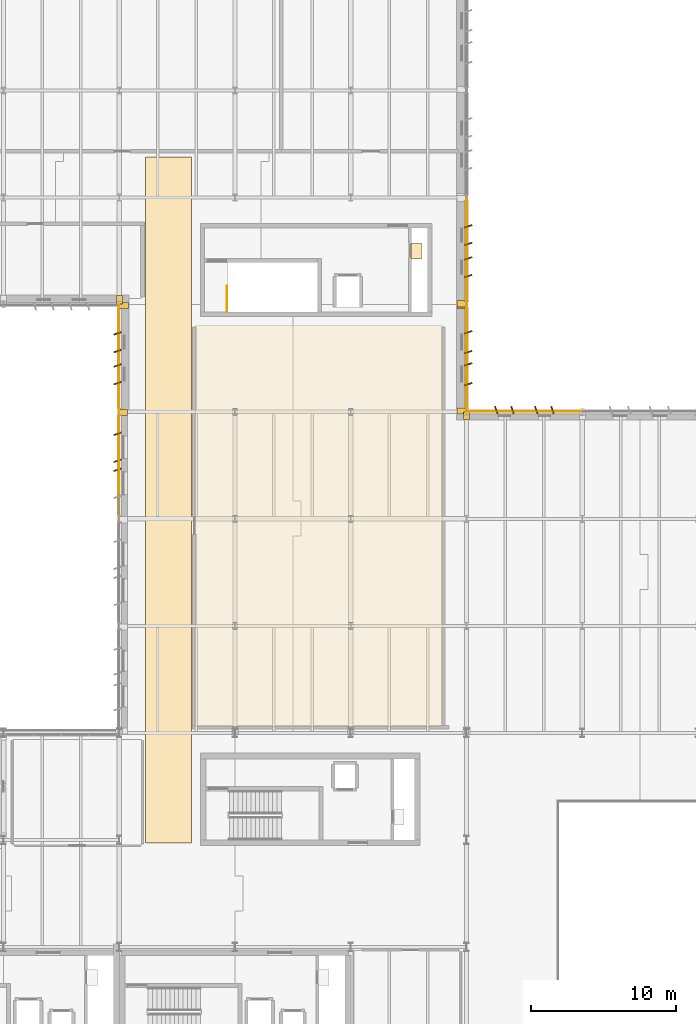
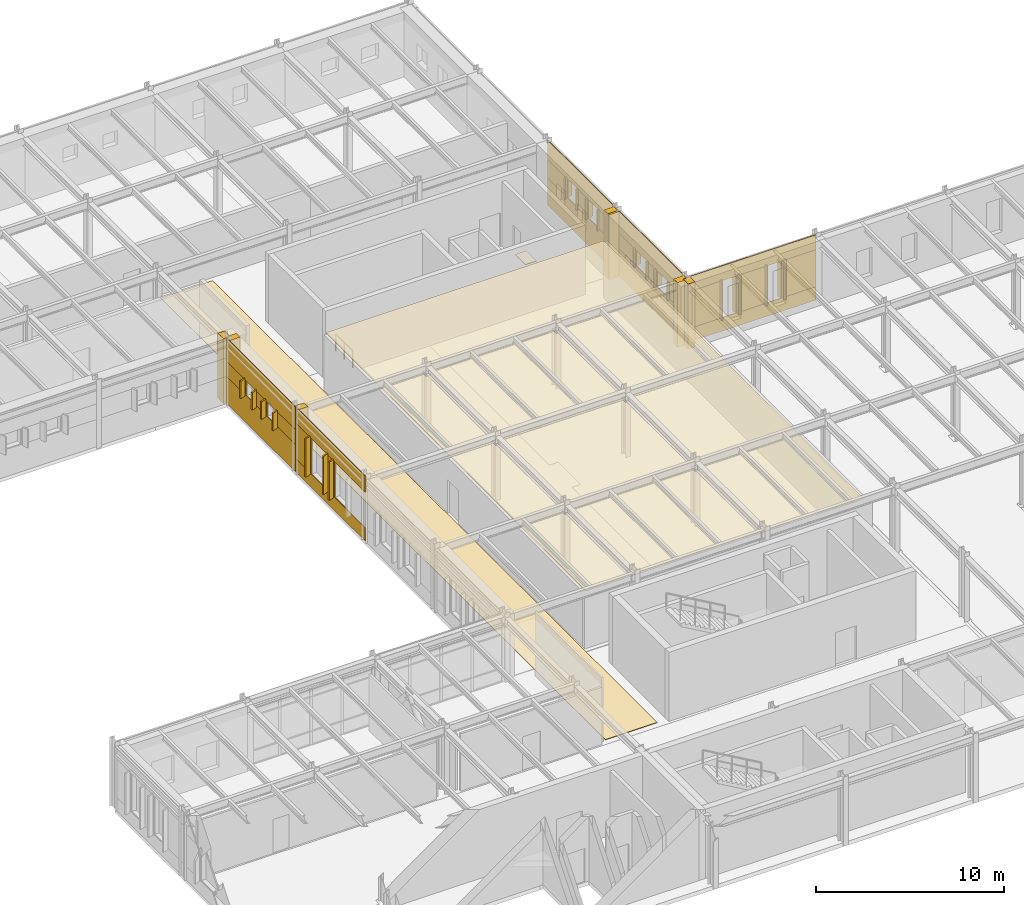
# One storey, part 63 of 75: 53 coverings, 1 railing.
"""IFC4 building model written with IfcOpenShell, lengths in metres."""

from ifc_helpers import new_model, si_unit, direction, frame, frame_2d, origin, origin_2d, place, context, subcontext, project, spatial, polyline, rectangle, circle, outline, extrude, material, layer, layer_set, type_object, element, save


model = new_model("IFC4")

# Units and contexts
model_context = context("Model", 3, precision=1e-05, world=origin(), true_north=direction((0.0, 1.0)))
body_context = subcontext(model_context, "Body", "Model", "MODEL_VIEW")
ifc_project = project(units=[si_unit("LENGTHUNIT", "METRE"), si_unit("AREAUNIT", "SQUARE_METRE"), si_unit("VOLUMEUNIT", "CUBIC_METRE"), si_unit("PLANEANGLEUNIT", "RADIAN"), si_unit("MASSUNIT", "GRAM", prefix="KILO")], contexts=[model_context])

# Site, building, storey
site_placement = place(None, origin())
site = spatial("IfcSite", under=ifc_project, at=site_placement, CompositionType="ELEMENT")
building_placement = place(site_placement, origin())
building = spatial("IfcBuilding", under=site, at=building_placement, Name="Valkorina Park Police Headquarters", CompositionType="ELEMENT")
storey_placement = place(building_placement, frame((0.0, 0.0, 5.39990234375)))
storey = spatial("IfcBuildingStorey", under=building, at=storey_placement, Name="L02", CompositionType="ELEMENT", Elevation=5.39990234375)

# Coverings
ifc_material_1 = material(Name="Acoustic mineral board")
ifc_layer_1 = layer(ifc_material_1, 0.02490234375)
ifc_layer_set_1 = layer_set([ifc_layer_1], Name="Acoustic mineral board")
covering_type_1 = type_object("IfcCoveringType", Name="COV-CEILING-ACOUST", PredefinedType="CEILING", material=ifc_layer_set_1)
covering_1_placement = place(storey_placement, frame((0.0, 0.0, 3.59521484375)))
element("IfcCovering", 1, at=covering_1_placement, inside=storey, type_object=covering_type_1, Name="Custody Pharmacy and Nurse Station Acoustic Suspended Ceiling", PredefinedType="CEILING", context=body_context, shape_type="SweptSolid", body=[
    extrude(outline(polyline([(55.158447265625, 59.704345703125), (55.15966796875, 59.712158203125), (55.159912109375, 59.719970703125), (55.159912109375, 87.280029296875), (55.15966796875, 87.287841796875), (55.158447265625, 87.295654296875), (55.156494140625, 87.30322265625), (55.15380859375, 87.310546875), (55.150634765625, 87.317626953125), (55.146484375, 87.324462890625), (55.141845703125, 87.330810546875), (55.13671875, 87.336669921875), (55.130859375, 87.341796875), (55.12451171875, 87.346435546875), (55.11767578125, 87.3505859375), (55.110595703125, 87.35400390625), (55.103271484375, 87.356689453125), (55.095703125, 87.3583984375), (55.087890625, 87.359619140625), (55.080078125, 87.360107421875), (38.1201171875, 87.360107421875), (38.1123046875, 87.359619140625), (38.1044921875, 87.3583984375), (38.0966796875, 87.356689453125), (38.08935546875, 87.35400390625), (38.082275390625, 87.3505859375), (38.07568359375, 87.346435546875), (38.069091796875, 87.341796875), (38.0634765625, 87.336669921875), (38.05810546875, 87.330810546875), (38.053466796875, 87.324462890625), (38.04931640625, 87.317626953125), (38.046142578125, 87.310546875), (38.04345703125, 87.30322265625), (38.04150390625, 87.295654296875), (38.040283203125, 87.287841796875), (38.0400390625, 87.280029296875), (38.0400390625, 59.719970703125), (38.040283203125, 59.712158203125), (38.04150390625, 59.704345703125), (38.04345703125, 59.69677734375), (38.046142578125, 59.689453125), (38.04931640625, 59.682373046875), (38.053466796875, 59.675537109375), (38.05810546875, 59.669189453125), (38.0634765625, 59.663330078125), (38.069091796875, 59.658203125), (38.07568359375, 59.653564453125), (38.082275390625, 59.6494140625), (38.08935546875, 59.64599609375), (38.0966796875, 59.643310546875), (38.1044921875, 59.6416015625), (38.1123046875, 59.640380859375), (38.1201171875, 59.639892578125), (55.080078125, 59.639892578125), (55.087890625, 59.640380859375), (55.095703125, 59.6416015625), (55.103271484375, 59.643310546875), (55.110595703125, 59.64599609375), (55.11767578125, 59.6494140625), (55.12451171875, 59.653564453125), (55.130859375, 59.658203125), (55.13671875, 59.663330078125), (55.141845703125, 59.669189453125), (55.146484375, 59.675537109375), (55.150634765625, 59.682373046875), (55.15380859375, 59.689453125), (55.156494140625, 59.69677734375), (55.158447265625, 59.704345703125)]), holes=[polyline([(48.949951171875, 81.175048828125), (48.64990234375, 81.175048828125), (48.64990234375, 81.625), (48.949951171875, 81.625), (48.949951171875, 81.175048828125)]), polyline([(48.949951171875, 73.77490234375), (48.64990234375, 73.77490234375), (48.64990234375, 74.22509765625), (48.949951171875, 74.22509765625), (48.949951171875, 73.77490234375)]), polyline([(48.949951171875, 66.375), (48.64990234375, 66.375), (48.64990234375, 66.824951171875), (48.949951171875, 66.824951171875), (48.949951171875, 66.375)]), polyline([(40.949951171875, 66.375), (40.64990234375, 66.375), (40.64990234375, 66.824951171875), (40.949951171875, 66.824951171875), (40.949951171875, 66.375)]), polyline([(40.949951171875, 73.77490234375), (40.64990234375, 73.77490234375), (40.64990234375, 74.22509765625), (40.949951171875, 74.22509765625), (40.949951171875, 73.77490234375)]), polyline([(40.949951171875, 81.175048828125), (40.64990234375, 81.175048828125), (40.64990234375, 81.625), (40.949951171875, 81.625), (40.949951171875, 81.175048828125)])]), origin(), (0.0, 0.0, 1.0), 0.02490234375),
])
ifc_material_2 = material(Name="Precast concrete C40/50", Category="concrete")
ifc_layer_2 = layer(ifc_material_2, 0.044921875)
ifc_layer_set_2 = layer_set([ifc_layer_2], Name="Precast concrete C40/50")
covering_type_2 = type_object("IfcCoveringType", Name="COV-CLAD-DOLOMITE", PredefinedType="CLADDING", material=ifc_layer_set_2)
covering_2_placement = place(storey_placement, frame((33.090087890625, 81.3349609375, 0.0), z_axis=(0.0, 0.0, 1.0), x_axis=(0.0, 1.0, 0.0)))
element("IfcCovering", 2, at=covering_2_placement, inside=storey, type_object=covering_type_2, Name="L02 Exterior Joint Closure Pilaster B 1034", PredefinedType="CLADDING", context=body_context, shape_type="SweptSolid", body=[
    extrude(rectangle(XDim=0.419921875, YDim=0.52197265625, at=origin_2d()), origin(), (0.0, 0.0, 1.0), 4.219970703125),
])
for number, where, z_axis, x_axis, name in (
    (3, (32.679931640625, 77.3876953125, 0.7802734375), (0.0, 0.0, 1.0), (-0.948323655206, -0.317304656405, 0.0), "Slanted 18.5-deg Precast Window Slot Fin 1036"),
    (4, (32.679931640625, 78.012451171875, 0.7802734375), (0.0, 0.0, 1.0), (-0.948323655206, -0.317304656405, 0.0), "Slanted 18.5-deg Precast Window Slot Fin 1037"),
    (5, (32.679931640625, 79.88232421875, 0.7802734375), (0.0, 0.0, 1.0), (-0.948323655206, -0.317304656405, 0.0), "Slanted 18.5-deg Precast Window Slot Fin 1038"),
):
    element("IfcCovering", number, at=place(storey_placement, frame(where, z_axis=z_axis, x_axis=x_axis)), inside=storey, type_object=covering_type_2, Name=name, PredefinedType="CLADDING", context=body_context, shape_type="SweptSolid", body=[
        extrude(rectangle(XDim=0.5400390625, YDim=0.090087890625, at=origin_2d()), origin(), (0.0, 0.0, 1.0), 2.489990234375),
    ])
covering_3_placement = place(storey_placement, frame((32.784912109375, 74.02001953125, 0.0), z_axis=(0.0, 0.0, 1.0), x_axis=(0.0, 1.0, 0.0)))
element("IfcCovering", 6, at=covering_3_placement, inside=storey, type_object=covering_type_2, Name="L02 Calm Concrete Base Sill Spandrel 1039", PredefinedType="CLADDING", context=body_context, shape_type="SweptSolid", body=[
    extrude(rectangle(XDim=7.35986328125, YDim=0.044921875, at=frame_2d((3.679931640625, 0.0))), origin(), (0.0, 0.0, 1.0), 0.8701171875),
])
covering_4_placement = place(storey_placement, frame((32.784912109375, 74.02001953125, 3.18017578125), z_axis=(0.0, 0.0, 1.0), x_axis=(0.0, 1.0, 0.0)))
element("IfcCovering", 7, at=covering_4_placement, inside=storey, type_object=covering_type_2, Name="L02 Calm Concrete Base Lintel Spandrel 1040", PredefinedType="CLADDING", context=body_context, shape_type="SweptSolid", body=[
    extrude(rectangle(XDim=7.35986328125, YDim=0.044921875, at=frame_2d((3.679931640625, 0.0))), origin(), (0.0, 0.0, 1.0), 1.0400390625),
])
covering_5_placement = place(storey_placement, frame((32.784912109375, 77.277587890625, 0.8701171875), z_axis=(0.0, 0.0, 1.0), x_axis=(0.0, 1.0, 0.0)))
element("IfcCovering", 8, at=covering_5_placement, inside=storey, type_object=covering_type_2, Name="L02 Calm Concrete Base Slot Pier 1042", PredefinedType="CLADDING", context=body_context, shape_type="SweptSolid", body=[
    extrude(rectangle(XDim=0.8447265625, YDim=0.044921875, at=frame_2d((0.42236328125, 0.0))), origin(), (0.0, 0.0, 1.0), 2.31005859375),
])
covering_6_placement = place(storey_placement, frame((32.784912109375, 79.7724609375, 0.8701171875), z_axis=(0.0, 0.0, 1.0), x_axis=(0.0, 1.0, 0.0)))
element("IfcCovering", 9, at=covering_6_placement, inside=storey, type_object=covering_type_2, Name="L02 Calm Concrete Base Slot Pier 1043", PredefinedType="CLADDING", context=body_context, shape_type="SweptSolid", body=[
    extrude(rectangle(XDim=1.607421875, YDim=0.044921875, at=frame_2d((0.8037109375, 0.0))), origin(), (0.0, 0.0, 1.0), 2.31005859375),
])
covering_7_placement = place(storey_placement, frame((33.139892578125, 88.735107421875, 0.0), z_axis=(0.0, 0.0, 1.0), x_axis=(0.0, 1.0, 0.0)))
element("IfcCovering", 10, at=covering_7_placement, inside=storey, type_object=covering_type_2, Name="L02 Exterior Joint Closure Pilaster B 1044", PredefinedType="CLADDING", context=body_context, shape_type="SweptSolid", body=[
    extrude(rectangle(XDim=0.419921875, YDim=0.612060546875, at=origin_2d()), origin(), (0.0, 0.0, 1.0), 4.219970703125),
])
for number, where, z_axis, x_axis, name in (
    (11, (32.679931640625, 83.381103515625, 1.68017578125), (0.0, 0.0, 1.0), (-0.948323655206, -0.317304656405, 0.0), "Slanted 18.5-deg Precast Window Slot Fin 1045"),
    (12, (32.679931640625, 84.601318359375, 1.68017578125), (0.0, 0.0, 1.0), (-0.948323655206, -0.317304656405, 0.0), "Slanted 18.5-deg Precast Window Slot Fin 1046"),
    (13, (32.679931640625, 85.598876953125, 1.68017578125), (0.0, 0.0, 1.0), (-0.948323655206, -0.317304656405, 0.0), "Slanted 18.5-deg Precast Window Slot Fin 1047"),
    (14, (32.679931640625, 86.81884765625, 1.68017578125), (0.0, 0.0, 1.0), (-0.948323655206, -0.317304656405, 0.0), "Slanted 18.5-deg Precast Window Slot Fin 1048"),
):
    element("IfcCovering", number, at=place(storey_placement, frame(where, z_axis=z_axis, x_axis=x_axis)), inside=storey, type_object=covering_type_2, Name=name, PredefinedType="CLADDING", context=body_context, shape_type="SweptSolid", body=[
        extrude(rectangle(XDim=0.5400390625, YDim=0.090087890625, at=origin_2d()), origin(), (0.0, 0.0, 1.0), 1.139892578125),
    ])
covering_8_placement = place(storey_placement, frame((32.784912109375, 81.419921875, 0.0), z_axis=(0.0, 0.0, 1.0), x_axis=(0.0, 1.0, 0.0)))
element("IfcCovering", 15, at=covering_8_placement, inside=storey, type_object=covering_type_2, Name="L02 Calm Concrete Base Sill Spandrel 1049", PredefinedType="CLADDING", context=body_context, shape_type="SweptSolid", body=[
    extrude(rectangle(XDim=7.360107421875, YDim=0.044921875, at=frame_2d((3.68017578125, 0.0))), origin(), (0.0, 0.0, 1.0), 1.77001953125),
])
covering_9_placement = place(storey_placement, frame((32.784912109375, 81.419921875, 2.72998046875), z_axis=(0.0, 0.0, 1.0), x_axis=(0.0, 1.0, 0.0)))
element("IfcCovering", 16, at=covering_9_placement, inside=storey, type_object=covering_type_2, Name="L02 Calm Concrete Base Lintel Spandrel 1050", PredefinedType="CLADDING", context=body_context, shape_type="SweptSolid", body=[
    extrude(rectangle(XDim=7.360107421875, YDim=0.044921875, at=frame_2d((3.68017578125, 0.0))), origin(), (0.0, 0.0, 1.0), 1.490234375),
])
covering_10_placement = place(storey_placement, frame((32.784912109375, 81.419921875, 1.77001953125), z_axis=(0.0, 0.0, 1.0), x_axis=(0.0, 1.0, 0.0)))
element("IfcCovering", 17, at=covering_10_placement, inside=storey, type_object=covering_type_2, Name="L02 Calm Concrete Base Slot Pier 1051", PredefinedType="CLADDING", context=body_context, shape_type="SweptSolid", body=[
    extrude(rectangle(XDim=2.0712890625, YDim=0.044921875, at=frame_2d((1.03564453125, 0.0))), origin(), (0.0, 0.0, 1.0), 0.9599609375),
])
covering_11_placement = place(storey_placement, frame((32.784912109375, 84.4912109375, 1.77001953125), z_axis=(0.0, 0.0, 1.0), x_axis=(0.0, 1.0, 0.0)))
element("IfcCovering", 18, at=covering_11_placement, inside=storey, type_object=covering_type_2, Name="L02 Calm Concrete Base Slot Pier 1052", PredefinedType="CLADDING", context=body_context, shape_type="SweptSolid", body=[
    extrude(rectangle(XDim=1.217529296875, YDim=0.044921875, at=frame_2d((0.60888671875, 0.0))), origin(), (0.0, 0.0, 1.0), 0.9599609375),
])
covering_12_placement = place(storey_placement, frame((32.784912109375, 86.708740234375, 1.77001953125), z_axis=(0.0, 0.0, 1.0), x_axis=(0.0, 1.0, 0.0)))
element("IfcCovering", 19, at=covering_12_placement, inside=storey, type_object=covering_type_2, Name="L02 Calm Concrete Base Slot Pier 1053", PredefinedType="CLADDING", context=body_context, shape_type="SweptSolid", body=[
    extrude(rectangle(XDim=2.0712890625, YDim=0.044921875, at=frame_2d((1.03564453125, 0.0))), origin(), (0.0, 0.0, 1.0), 0.9599609375),
])
for number, where, z_axis, x_axis, name in (
    (20, (32.81005859375, 89.139892578125, 0.0), (0.0, 0.0, 1.0), (1.0, 0.0, 0.0), "L02 Exterior Joint Closure Pilaster A 1054"),
    (21, (56.4599609375, 88.864990234375, 0.0), (0.0, 0.0, 1.0), (0.0, 1.0, 0.0), "L02 Exterior Joint Closure Pilaster B 1220"),
):
    element("IfcCovering", number, at=place(storey_placement, frame(where, z_axis=z_axis, x_axis=x_axis)), inside=storey, type_object=covering_type_2, Name=name, PredefinedType="CLADDING", context=body_context, shape_type="SweptSolid", body=[
        extrude(rectangle(XDim=0.419921875, YDim=0.612060546875, at=origin_2d()), origin(), (0.0, 0.0, 1.0), 4.219970703125),
    ])
for number, where, z_axis, x_axis, name in (
    (22, (56.919921875, 94.21875, 1.68017578125), (0.0, 0.0, 1.0), (0.948323655206, 0.317304656405, 0.0), "Slanted 18.5-deg Precast Window Slot Fin 1221"),
    (23, (56.919921875, 92.998779296875, 1.68017578125), (0.0, 0.0, 1.0), (0.948323655206, 0.317304656405, 0.0), "Slanted 18.5-deg Precast Window Slot Fin 1222"),
    (24, (56.919921875, 92.001220703125, 1.68017578125), (0.0, 0.0, 1.0), (0.948323655206, 0.317304656405, 0.0), "Slanted 18.5-deg Precast Window Slot Fin 1223"),
    (25, (56.919921875, 90.78125, 1.68017578125), (0.0, 0.0, 1.0), (0.948323655206, 0.317304656405, 0.0), "Slanted 18.5-deg Precast Window Slot Fin 1224"),
):
    element("IfcCovering", number, at=place(storey_placement, frame(where, z_axis=z_axis, x_axis=x_axis)), inside=storey, type_object=covering_type_2, Name=name, PredefinedType="CLADDING", context=body_context, shape_type="SweptSolid", body=[
        extrude(rectangle(XDim=0.5400390625, YDim=0.090087890625, at=origin_2d()), origin(), (0.0, 0.0, 1.0), 1.389892578125),
    ])
covering_13_placement = place(storey_placement, frame((56.81494140625, 96.179931640625, 0.0), z_axis=(0.0, 0.0, 1.0), x_axis=(0.0, -1.0, 0.0)))
element("IfcCovering", 26, at=covering_13_placement, inside=storey, type_object=covering_type_2, Name="L02 Calm Concrete Base Sill Spandrel 1225", PredefinedType="CLADDING", context=body_context, shape_type="SweptSolid", body=[
    extrude(rectangle(XDim=7.35986328125, YDim=0.044921875, at=frame_2d((3.679931640625, 0.0))), origin(), (0.0, 0.0, 1.0), 1.77001953125),
])
covering_14_placement = place(storey_placement, frame((56.81494140625, 96.179931640625, 2.97998046875), z_axis=(0.0, 0.0, 1.0), x_axis=(0.0, -1.0, 0.0)))
element("IfcCovering", 27, at=covering_14_placement, inside=storey, type_object=covering_type_2, Name="L02 Calm Concrete Base Lintel Spandrel 1226", PredefinedType="CLADDING", context=body_context, shape_type="SweptSolid", body=[
    extrude(rectangle(XDim=7.35986328125, YDim=0.044921875, at=frame_2d((3.679931640625, 0.0))), origin(), (0.0, 0.0, 1.0), 1.240234375),
])
covering_15_placement = place(storey_placement, frame((56.81494140625, 96.179931640625, 1.77001953125), z_axis=(0.0, 0.0, 1.0), x_axis=(0.0, -1.0, 0.0)))
element("IfcCovering", 28, at=covering_15_placement, inside=storey, type_object=covering_type_2, Name="L02 Calm Concrete Base Slot Pier 1227", PredefinedType="CLADDING", context=body_context, shape_type="SweptSolid", body=[
    extrude(rectangle(XDim=2.071044921875, YDim=0.044921875, at=frame_2d((1.03564453125, 0.0))), origin(), (0.0, 0.0, 1.0), 1.2099609375),
])
covering_16_placement = place(storey_placement, frame((56.81494140625, 93.10888671875, 1.77001953125), z_axis=(0.0, 0.0, 1.0), x_axis=(0.0, -1.0, 0.0)))
element("IfcCovering", 29, at=covering_16_placement, inside=storey, type_object=covering_type_2, Name="L02 Calm Concrete Base Slot Pier 1228", PredefinedType="CLADDING", context=body_context, shape_type="SweptSolid", body=[
    extrude(rectangle(XDim=1.2177734375, YDim=0.044921875, at=frame_2d((0.60888671875, 0.0))), origin(), (0.0, 0.0, 1.0), 1.2099609375),
])
covering_17_placement = place(storey_placement, frame((56.81494140625, 90.89111328125, 1.77001953125), z_axis=(0.0, 0.0, 1.0), x_axis=(0.0, -1.0, 0.0)))
element("IfcCovering", 30, at=covering_17_placement, inside=storey, type_object=covering_type_2, Name="L02 Calm Concrete Base Slot Pier 1229", PredefinedType="CLADDING", context=body_context, shape_type="SweptSolid", body=[
    extrude(rectangle(XDim=2.071044921875, YDim=0.044921875, at=frame_2d((1.03564453125, 0.0))), origin(), (0.0, 0.0, 1.0), 1.2099609375),
])
for number, where, z_axis, x_axis, name in (
    (31, (56.4599609375, 88.735107421875, 0.0), (0.0, 0.0, 1.0), (0.0, 1.0, 0.0), "L02 Exterior Joint Closure Pilaster A 1230"),
    (32, (56.4599609375, 81.465087890625, 0.0), (0.0, 0.0, 1.0), (0.0, 1.0, 0.0), "L02 Exterior Joint Closure Pilaster B 1231"),
):
    element("IfcCovering", number, at=place(storey_placement, frame(where, z_axis=z_axis, x_axis=x_axis)), inside=storey, type_object=covering_type_2, Name=name, PredefinedType="CLADDING", context=body_context, shape_type="SweptSolid", body=[
        extrude(rectangle(XDim=0.419921875, YDim=0.612060546875, at=origin_2d()), origin(), (0.0, 0.0, 1.0), 4.219970703125),
    ])
for number, where, z_axis, x_axis, name in (
    (33, (56.919921875, 86.893798828125, 1.68017578125), (0.0, 0.0, 1.0), (0.948323655206, 0.317304656405, 0.0), "Slanted 18.5-deg Precast Window Slot Fin 1232"),
    (34, (56.919921875, 85.523681640625, 1.68017578125), (0.0, 0.0, 1.0), (0.948323655206, 0.317304656405, 0.0), "Slanted 18.5-deg Precast Window Slot Fin 1233"),
    (35, (56.919921875, 84.67626953125, 1.68017578125), (0.0, 0.0, 1.0), (0.948323655206, 0.317304656405, 0.0), "Slanted 18.5-deg Precast Window Slot Fin 1234"),
    (36, (56.919921875, 83.30615234375, 1.68017578125), (0.0, 0.0, 1.0), (0.948323655206, 0.317304656405, 0.0), "Slanted 18.5-deg Precast Window Slot Fin 1235"),
):
    element("IfcCovering", number, at=place(storey_placement, frame(where, z_axis=z_axis, x_axis=x_axis)), inside=storey, type_object=covering_type_2, Name=name, PredefinedType="CLADDING", context=body_context, shape_type="SweptSolid", body=[
        extrude(rectangle(XDim=0.5400390625, YDim=0.090087890625, at=origin_2d()), origin(), (0.0, 0.0, 1.0), 1.18994140625),
    ])
covering_18_placement = place(storey_placement, frame((56.81494140625, 88.780029296875, 0.0), z_axis=(0.0, 0.0, 1.0), x_axis=(0.0, -1.0, 0.0)))
element("IfcCovering", 37, at=covering_18_placement, inside=storey, type_object=covering_type_2, Name="L02 Calm Concrete Base Sill Spandrel 1236", PredefinedType="CLADDING", context=body_context, shape_type="SweptSolid", body=[
    extrude(rectangle(XDim=7.360107421875, YDim=0.044921875, at=frame_2d((3.68017578125, 0.0))), origin(), (0.0, 0.0, 1.0), 1.77001953125),
])
covering_19_placement = place(storey_placement, frame((56.81494140625, 88.780029296875, 2.780029296875), z_axis=(0.0, 0.0, 1.0), x_axis=(0.0, -1.0, 0.0)))
element("IfcCovering", 38, at=covering_19_placement, inside=storey, type_object=covering_type_2, Name="L02 Calm Concrete Base Lintel Spandrel 1237", PredefinedType="CLADDING", context=body_context, shape_type="SweptSolid", body=[
    extrude(rectangle(XDim=7.360107421875, YDim=0.044921875, at=frame_2d((3.68017578125, 0.0))), origin(), (0.0, 0.0, 1.0), 1.440185546875),
])
covering_20_placement = place(storey_placement, frame((56.81494140625, 88.780029296875, 1.77001953125), z_axis=(0.0, 0.0, 1.0), x_axis=(0.0, -1.0, 0.0)))
element("IfcCovering", 39, at=covering_20_placement, inside=storey, type_object=covering_type_2, Name="L02 Calm Concrete Base Slot Pier 1238", PredefinedType="CLADDING", context=body_context, shape_type="SweptSolid", body=[
    extrude(rectangle(XDim=1.996337890625, YDim=0.044921875, at=frame_2d((0.998046875, 0.0))), origin(), (0.0, 0.0, 1.0), 1.010009765625),
])
covering_21_placement = place(storey_placement, frame((56.81494140625, 85.6337890625, 1.77001953125), z_axis=(0.0, 0.0, 1.0), x_axis=(0.0, -1.0, 0.0)))
element("IfcCovering", 40, at=covering_21_placement, inside=storey, type_object=covering_type_2, Name="L02 Calm Concrete Base Slot Pier 1239", PredefinedType="CLADDING", context=body_context, shape_type="SweptSolid", body=[
    extrude(rectangle(XDim=1.067626953125, YDim=0.044921875, at=frame_2d((0.53369140625, 0.0))), origin(), (0.0, 0.0, 1.0), 1.010009765625),
])
covering_22_placement = place(storey_placement, frame((56.81494140625, 83.416259765625, 1.77001953125), z_axis=(0.0, 0.0, 1.0), x_axis=(0.0, -1.0, 0.0)))
element("IfcCovering", 41, at=covering_22_placement, inside=storey, type_object=covering_type_2, Name="L02 Calm Concrete Base Slot Pier 1240", PredefinedType="CLADDING", context=body_context, shape_type="SweptSolid", body=[
    extrude(rectangle(XDim=1.996337890625, YDim=0.044921875, at=frame_2d((0.998046875, 0.0))), origin(), (0.0, 0.0, 1.0), 1.010009765625),
])
covering_23_placement = place(storey_placement, frame((56.7900390625, 81.110107421875, 0.0), z_axis=(0.0, 0.0, 1.0), x_axis=(1.0, 0.0, 0.0)))
element("IfcCovering", 42, at=covering_23_placement, inside=storey, type_object=covering_type_2, Name="L02 Exterior Joint Closure Pilaster A 1241", PredefinedType="CLADDING", context=body_context, shape_type="SweptSolid", body=[
    extrude(rectangle(XDim=0.419921875, YDim=0.52197265625, at=origin_2d()), origin(), (0.0, 0.0, 1.0), 4.239990234375),
])
for number, where, z_axis, x_axis, name in (
    (43, (58.857666015625, 81.52001953125, 0.7802734375), (0.0, 0.0, 1.0), (-0.317304656405, 0.948323655206, 0.0), "Slanted 18.5-deg Precast Window Slot Fin 1243"),
    (44, (59.9775390625, 81.52001953125, 0.7802734375), (0.0, 0.0, 1.0), (-0.317304656405, 0.948323655206, 0.0), "Slanted 18.5-deg Precast Window Slot Fin 1244"),
    (45, (61.622314453125, 81.52001953125, 0.7802734375), (0.0, 0.0, 1.0), (-0.317304656405, 0.948323655206, 0.0), "Slanted 18.5-deg Precast Window Slot Fin 1245"),
    (46, (62.742431640625, 81.52001953125, 0.7802734375), (0.0, 0.0, 1.0), (-0.317304656405, 0.948323655206, 0.0), "Slanted 18.5-deg Precast Window Slot Fin 1246"),
):
    element("IfcCovering", number, at=place(storey_placement, frame(where, z_axis=z_axis, x_axis=x_axis)), inside=storey, type_object=covering_type_2, Name=name, PredefinedType="CLADDING", context=body_context, shape_type="SweptSolid", body=[
        extrude(rectangle(XDim=0.5400390625, YDim=0.090087890625, at=origin_2d()), origin(), (0.0, 0.0, 1.0), 2.590087890625),
    ])
covering_24_placement = place(storey_placement, frame((56.820068359375, 81.4150390625, 0.0), z_axis=(0.0, 0.0, 1.0), x_axis=(1.0, 0.0, 0.0)))
element("IfcCovering", 47, at=covering_24_placement, inside=storey, type_object=covering_type_2, Name="L02 Calm Concrete Base Sill Spandrel 1247", PredefinedType="CLADDING", context=body_context, shape_type="SweptSolid", body=[
    extrude(rectangle(XDim=7.9599609375, YDim=0.044921875, at=frame_2d((3.97998046875, 0.0))), origin(), (0.0, 0.0, 1.0), 0.8701171875),
])
covering_25_placement = place(storey_placement, frame((56.820068359375, 81.4150390625, 3.280029296875), z_axis=(0.0, 0.0, 1.0), x_axis=(1.0, 0.0, 0.0)))
element("IfcCovering", 48, at=covering_25_placement, inside=storey, type_object=covering_type_2, Name="L02 Calm Concrete Base Lintel Spandrel 1248", PredefinedType="CLADDING", context=body_context, shape_type="SweptSolid", body=[
    extrude(rectangle(XDim=7.9599609375, YDim=0.044921875, at=frame_2d((3.97998046875, 0.0))), origin(), (0.0, 0.0, 1.0), 0.9599609375),
])
covering_26_placement = place(storey_placement, frame((56.820068359375, 81.4150390625, 0.8701171875), z_axis=(0.0, 0.0, 1.0), x_axis=(1.0, 0.0, 0.0)))
element("IfcCovering", 49, at=covering_26_placement, inside=storey, type_object=covering_type_2, Name="L02 Calm Concrete Base Slot Pier 1249", PredefinedType="CLADDING", context=body_context, shape_type="SweptSolid", body=[
    extrude(rectangle(XDim=2.1474609375, YDim=0.044921875, at=frame_2d((1.07373046875, 0.0))), origin(), (0.0, 0.0, 1.0), 2.409912109375),
])
covering_27_placement = place(storey_placement, frame((59.86767578125, 81.4150390625, 0.8701171875), z_axis=(0.0, 0.0, 1.0), x_axis=(1.0, 0.0, 0.0)))
element("IfcCovering", 50, at=covering_27_placement, inside=storey, type_object=covering_type_2, Name="L02 Calm Concrete Base Slot Pier 1250", PredefinedType="CLADDING", context=body_context, shape_type="SweptSolid", body=[
    extrude(rectangle(XDim=1.86474609375, YDim=0.044921875, at=frame_2d((0.932373046875, 0.0))), origin(), (0.0, 0.0, 1.0), 2.409912109375),
])
covering_28_placement = place(storey_placement, frame((62.63232421875, 81.4150390625, 0.8701171875), z_axis=(0.0, 0.0, 1.0), x_axis=(1.0, 0.0, 0.0)))
element("IfcCovering", 51, at=covering_28_placement, inside=storey, type_object=covering_type_2, Name="L02 Calm Concrete Base Slot Pier 1251", PredefinedType="CLADDING", context=body_context, shape_type="SweptSolid", body=[
    extrude(rectangle(XDim=2.147705078125, YDim=0.044921875, at=frame_2d((1.07373046875, 0.0))), origin(), (0.0, 0.0, 1.0), 2.409912109375),
])
ifc_material_3 = material(Name="Resin terrazzo flooring")
ifc_layer_3 = layer(ifc_material_3, 0.030029296875)
ifc_layer_set_3 = layer_set([ifc_layer_3], Name="Resin terrazzo flooring")
covering_type_3 = type_object("IfcCoveringType", Name="COV-FLOOR-TERRAZZO", PredefinedType="FLOORING", material=ifc_layer_set_3)
covering_29_placement = place(storey_placement, origin())
element("IfcCovering", 52, at=covering_29_placement, inside=storey, type_object=covering_type_3, Name="Core C4 L02 Riser Inspection Threshold Grate", PredefinedType="FLOORING", context=body_context, shape_type="SweptSolid", body=[
    extrude(outline(polyline([(53.679931640625, 91.949951171875), (53.679931640625, 93.050048828125), (52.97998046875, 93.050048828125), (52.97998046875, 91.949951171875), (53.679931640625, 91.949951171875)])), origin(), (0.0, 0.0, 1.0), 0.030029296875),
])
covering_30_placement = place(storey_placement, origin())
element("IfcCovering", 53, at=covering_30_placement, inside=storey, type_object=covering_type_3, Name="Custody Cell Access Corridor Terrazzo Flooring", PredefinedType="FLOORING", context=body_context, shape_type="SweptSolid", body=[
    extrude(outline(polyline([(37.800048828125, 99.0), (34.60009765625, 99.0), (34.60009765625, 51.60009765625), (37.800048828125, 51.60009765625), (37.800048828125, 99.0)])), origin(), (0.0, 0.0, 1.0), 0.030029296875),
])

# Railing
ifc_material_4 = material(Name="Stainless steel EN 1.4404", Category="steel")
railing_type = type_object("IfcRailingType", Name="RL-GUARD-INT-1100", PredefinedType="BALUSTRADE", material=ifc_material_4)
railing_placement = place(storey_placement, frame((40.25, 88.300048828125, 0.0)))
element("IfcRailing", 54, at=railing_placement, inside=storey, type_object=railing_type, Name="L02 Core C4 Top Well Guard 1", PredefinedType="BALUSTRADE", context=body_context, shape_type="SweptSolid", body=[
    extrude(circle(Radius=0.02392578125, at=origin_2d()), frame((0.0, 0.0, 1.09619140625), z_axis=(0.0, 1.0, 0.0), x_axis=(-1.0, 0.0, 0.0)), (0.0, 0.0, 1.0), 1.800048828125),
    extrude(circle(Radius=0.02099609375, at=origin_2d()), origin(), (0.0, 0.0, 1.0), 1.072021484375),
    extrude(circle(Radius=0.02099609375, at=origin_2d()), frame((0.0, 0.89990234375, 0.0)), (0.0, 0.0, 1.0), 1.072021484375),
    extrude(circle(Radius=0.02099609375, at=origin_2d()), frame((0.0, 1.800048828125, 0.0)), (0.0, 0.0, 1.0), 1.072021484375),
])

save(model, "model.ifc")
